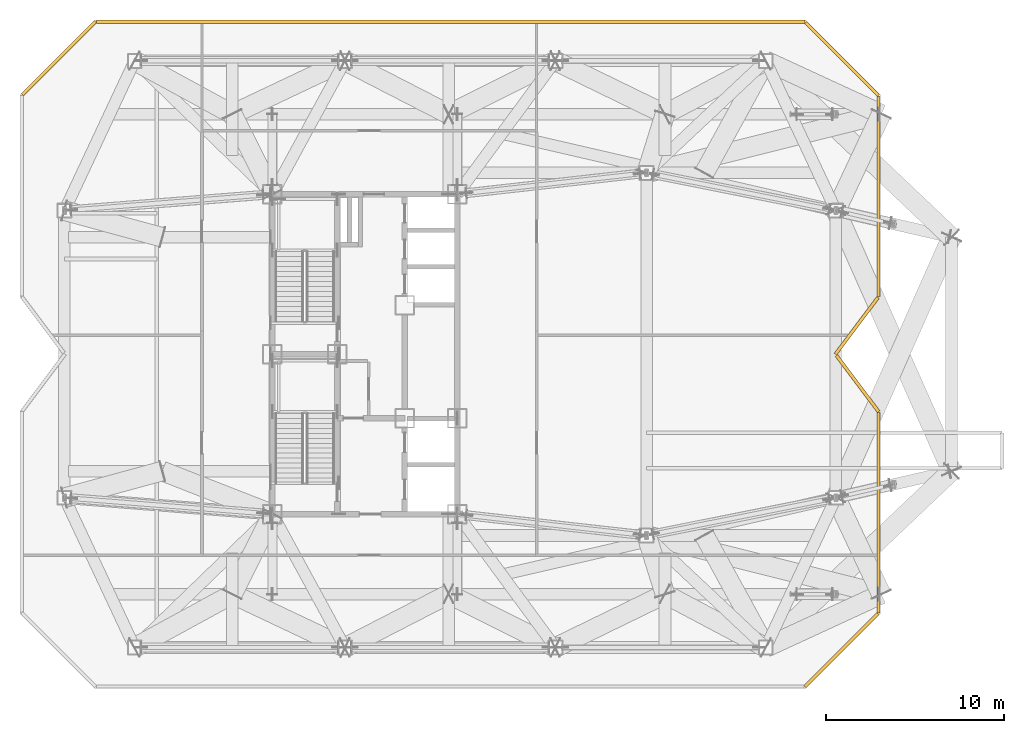
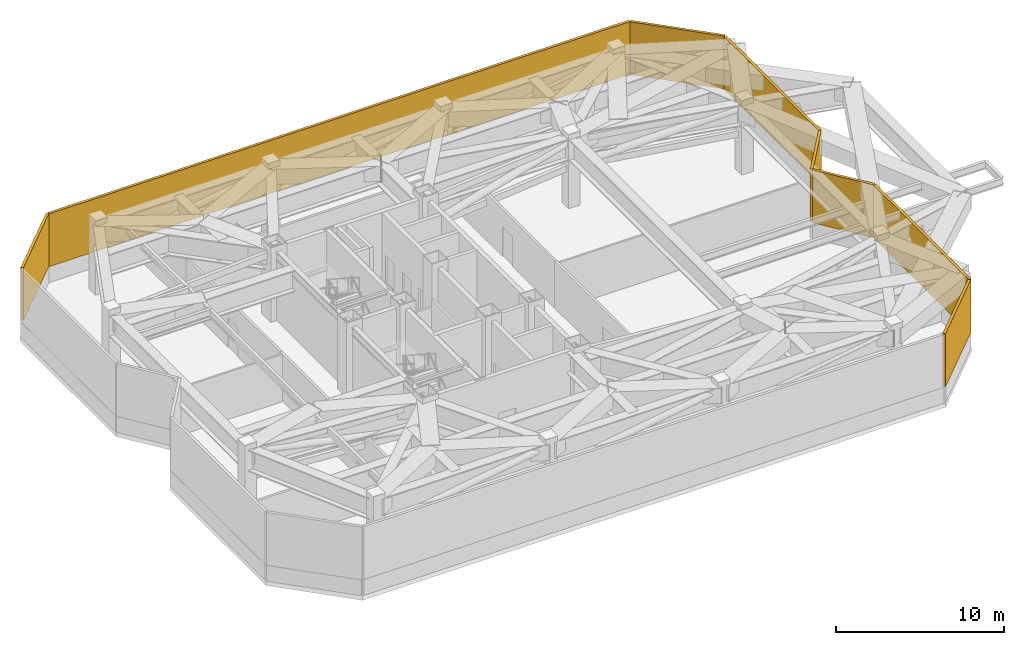
# One storey, part 19 of 19: 8 shading devices.
"""IFC4 building model written with IfcOpenShell, lengths in metres."""

from ifc_helpers import new_model, si_unit, direction, frame, origin, origin_2d, place, context, subcontext, project, spatial, rectangle, extrude, material, type_object, element, save


model = new_model("IFC4")

# Units and contexts
model_context = context("Model", 3, precision=1e-05, world=origin(), true_north=direction((0.0, 1.0)))
body_context = subcontext(model_context, "Body", "Model", "MODEL_VIEW")
ifc_project = project(units=[si_unit("LENGTHUNIT", "METRE"), si_unit("AREAUNIT", "SQUARE_METRE"), si_unit("VOLUMEUNIT", "CUBIC_METRE"), si_unit("PLANEANGLEUNIT", "RADIAN"), si_unit("MASSUNIT", "GRAM", prefix="KILO")], contexts=[model_context])

# Site, building, storey
site_placement = place(None, origin())
site = spatial("IfcSite", under=ifc_project, at=site_placement, CompositionType="ELEMENT")
building_placement = place(site_placement, origin())
building = spatial("IfcBuilding", under=site, at=building_placement, Name="Khamvora Tower", CompositionType="ELEMENT")
storey_placement = place(building_placement, frame((0.0, 0.0, 211.800048828125)))
storey = spatial("IfcBuildingStorey", under=building, at=storey_placement, Name="L54", CompositionType="ELEMENT", Elevation=211.800048828125)

# Shading devices
ifc_material = material(Name="Pale Anodised Aluminium 6063-T6", Category="aluminium")
shading_device_type = type_object("IfcShadingDeviceType", Name="SHD-LVR-150", PredefinedType="JALOUSIE", material=ifc_material)
shading_device_1_placement = place(storey_placement, frame((16.992919921875, 44.652099609375, 1.14990234375), z_axis=(0.0, 0.0, 1.0), x_axis=(0.707106781187, 0.707106781187, 0.0)))
element("IfcShadingDevice", 1, at=shading_device_1_placement, inside=storey, type_object=shading_device_type, Name="L54 mechanical weather louvre 06.1", PredefinedType="JALOUSIE", context=body_context, shape_type="SweptSolid", body=[
    extrude(rectangle(XDim=5.79296875, YDim=0.179931640625, at=origin_2d()), origin(), (0.0, 0.0, 1.0), 3.830078125),
])
shading_device_2_placement = place(storey_placement, frame((39.031005859375, 46.699951171875, 1.14990234375), z_axis=(0.0, 0.0, 1.0), x_axis=(1.0, 0.0, 0.0)))
element("IfcShadingDevice", 2, at=shading_device_2_placement, inside=storey, type_object=shading_device_type, Name="L54 mechanical weather louvre 07.1", PredefinedType="JALOUSIE", context=body_context, shape_type="SweptSolid", body=[
    extrude(rectangle(XDim=39.85693359375, YDim=0.179931640625, at=origin_2d()), origin(), (0.0, 0.0, 1.0), 3.830078125),
])
shading_device_3_placement = place(storey_placement, frame((61.052001953125, 44.60791015625, 1.14990234375), z_axis=(0.0, 0.0, 1.0), x_axis=(0.707106781187, -0.707106781187, 0.0)))
element("IfcShadingDevice", 3, at=shading_device_3_placement, inside=storey, type_object=shading_device_type, Name="L54 mechanical weather louvre 08.1", PredefinedType="JALOUSIE", context=body_context, shape_type="SweptSolid", body=[
    extrude(rectangle(XDim=5.7939453125, YDim=0.179931640625, at=origin_2d()), origin(), (0.0, 0.0, 1.0), 3.830078125),
])
shading_device_4_placement = place(storey_placement, frame((63.10009765625, 36.864013671875, 1.14990234375), z_axis=(0.0, 0.0, 1.0), x_axis=(0.0, -1.0, 0.0)))
element("IfcShadingDevice", 4, at=shading_device_4_placement, inside=storey, type_object=shading_device_type, Name="L54 mechanical weather louvre 09.1", PredefinedType="JALOUSIE", context=body_context, shape_type="SweptSolid", body=[
    extrude(rectangle(XDim=11.262939453125, YDim=0.179931640625, at=origin_2d()), origin(), (0.0, 0.0, 1.0), 3.830078125),
])
shading_device_5_placement = place(storey_placement, frame((61.8720703125, 29.595947265625, 1.14990234375), z_axis=(0.0, 0.0, 1.0), x_axis=(-0.600039589506, -0.79997030634, 0.0)))
element("IfcShadingDevice", 5, at=shading_device_5_placement, inside=storey, type_object=shading_device_type, Name="L54 mechanical weather louvre 10.1", PredefinedType="JALOUSIE", context=body_context, shape_type="SweptSolid", body=[
    extrude(rectangle(XDim=3.989013671875, YDim=0.179931640625, at=origin_2d()), origin(), (0.0, 0.0, 1.0), 3.830078125),
])
shading_device_6_placement = place(storey_placement, frame((61.9130859375, 26.34912109375, 1.14990234375), z_axis=(0.0, 0.0, 1.0), x_axis=(0.600039589506, -0.79997030634, 0.0)))
element("IfcShadingDevice", 6, at=shading_device_6_placement, inside=storey, type_object=shading_device_type, Name="L54 mechanical weather louvre 11.1", PredefinedType="JALOUSIE", context=body_context, shape_type="SweptSolid", body=[
    extrude(rectangle(XDim=3.955078125, YDim=0.179931640625, at=origin_2d()), origin(), (0.0, 0.0, 1.0), 3.830078125),
])
shading_device_7_placement = place(storey_placement, frame((63.10009765625, 19.0791015625, 1.14990234375), z_axis=(0.0, 0.0, 1.0), x_axis=(0.0, -1.0, 0.0)))
element("IfcShadingDevice", 7, at=shading_device_7_placement, inside=storey, type_object=shading_device_type, Name="L54 mechanical weather louvre 12.1", PredefinedType="JALOUSIE", context=body_context, shape_type="SweptSolid", body=[
    extrude(rectangle(XDim=11.27587890625, YDim=0.179931640625, at=origin_2d()), origin(), (0.0, 0.0, 1.0), 3.830078125),
])
shading_device_8_placement = place(storey_placement, frame((61.008056640625, 11.34912109375, 1.14990234375), z_axis=(0.0, 0.0, 1.0), x_axis=(-0.707106781187, -0.707106781187, 0.0)))
element("IfcShadingDevice", 8, at=shading_device_8_placement, inside=storey, type_object=shading_device_type, Name="L54 mechanical weather louvre 13.1", PredefinedType="JALOUSIE", context=body_context, shape_type="SweptSolid", body=[
    extrude(rectangle(XDim=5.794921875, YDim=0.179931640625, at=origin_2d()), origin(), (0.0, 0.0, 1.0), 3.830078125),
])

save(model, "model.ifc")
